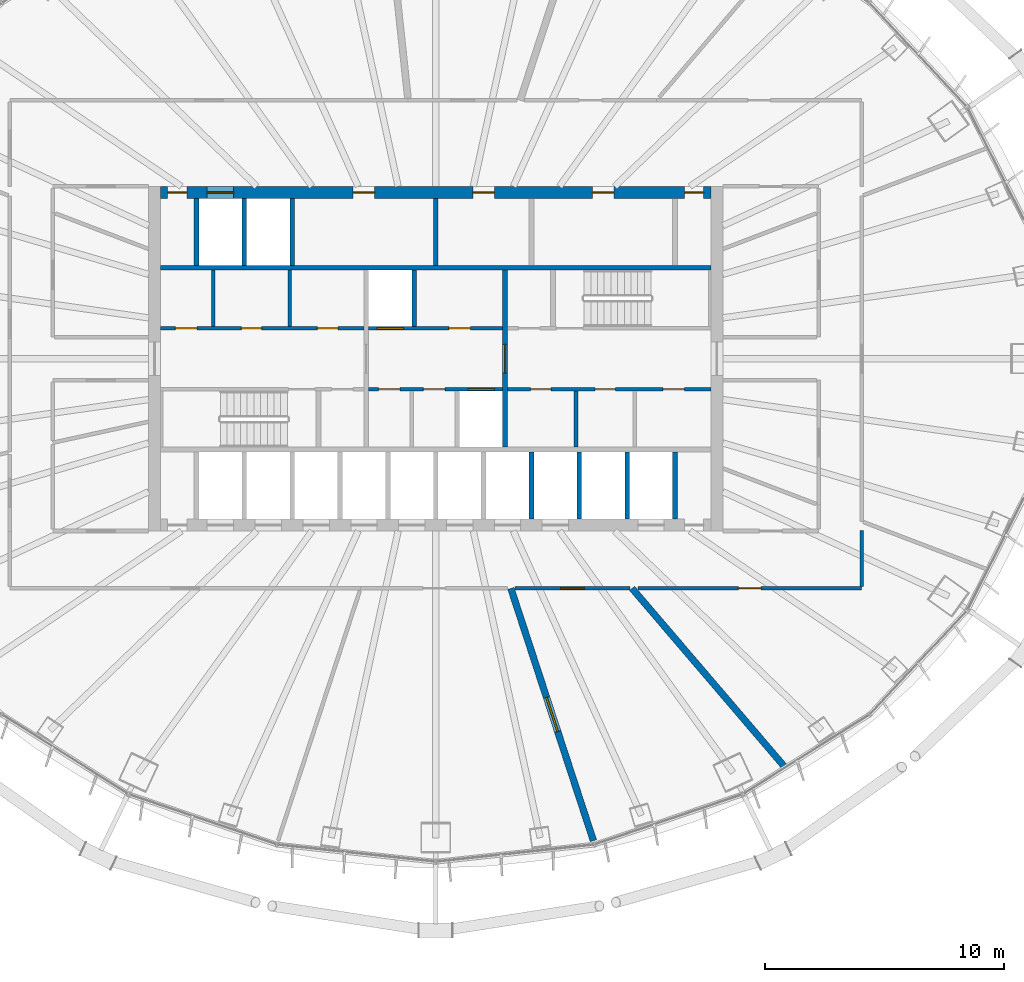
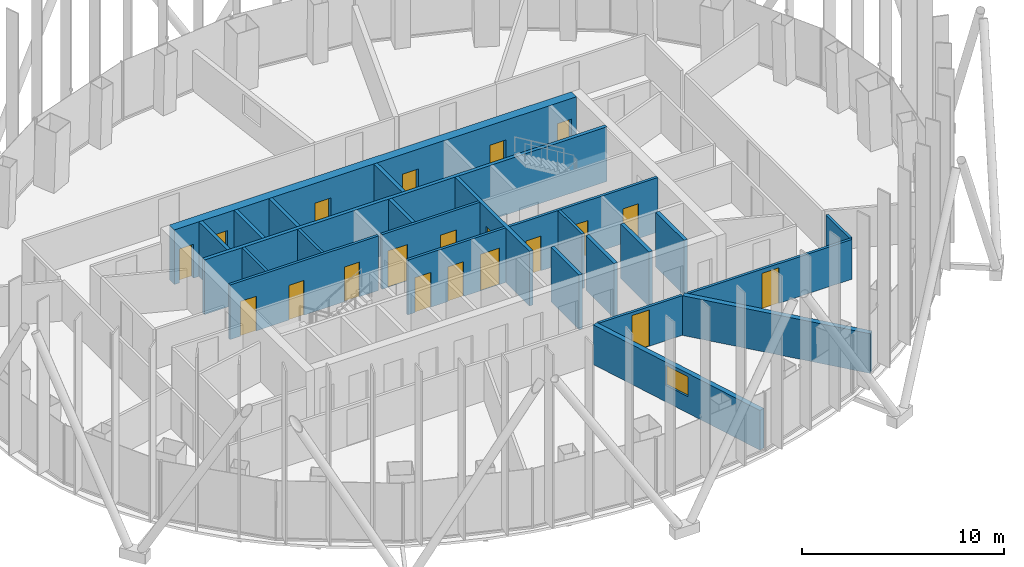
# One storey, part 10 of 20: 24 walls, 20 doors, 1 window, 21 openings.
"""IFC4 building model written with IfcOpenShell, lengths in metres."""

import ifcopenshell
import ifcopenshell.guid

model = None  # the IFC model being written
_history = None  # IfcOwnerHistory: only IFC2X3 demands one
_inside = {}  # id of a spatial element -> (the spatial element, [elements in it])
_under = {}  # id of a project, library or spatial element -> (it, [spatial elements below it])
_declared = {}  # id of a project -> (the project, [libraries it declares])
_typed = {}  # id of a type object -> (the type object, [elements of that type])
_made_of = {}  # id of a material, layer set ... -> (it, [elements and type objects made of it])


def new_model(schema):
    """Start an empty IFC model of exactly this schema.

    Asked for "IFC4X3", IfcOpenShell would pick the latest addendum, in which some entities
    have other attributes; the version numbers below select the first issue.
    IFC2X3 requires an IfcOwnerHistory on every rooted entity: one is made here for all.
    """
    global model, _history
    if schema == "IFC4X3":
        model = ifcopenshell.file(schema_version=(4, 3, 0, 0))
    else:
        model = ifcopenshell.file(schema=schema)
    _inside.clear()
    _under.clear()
    _declared.clear()
    _typed.clear()
    _made_of.clear()
    _history = None
    if model.schema == "IFC2X3":
        org = make("IfcOrganization", Name="unknown")
        user = make(
            "IfcPersonAndOrganization",
            ThePerson=make("IfcPerson", FamilyName="unknown"),
            TheOrganization=org,
        )
        app = make(
            "IfcApplication",
            ApplicationDeveloper=org,
            Version="unknown",
            ApplicationFullName="unknown",
            ApplicationIdentifier="unknown",
        )
        _history = make(
            "IfcOwnerHistory",
            OwningUser=user,
            OwningApplication=app,
            ChangeAction="ADDED",
            CreationDate=0,
        )
    return model


def make(cls, **values):
    """One entity of the class cls with the attributes given. An attribute that is None is left unset."""
    return model.create_entity(
        cls, **{name: value for name, value in values.items() if value is not None}
    )


def rooted(cls, **values):
    """An entity with a GlobalId (a new one), such as an element, a storey or a relation."""
    return make(cls, GlobalId=ifcopenshell.guid.new(), OwnerHistory=_history, **values)


def si_unit(unit_type, name, prefix=None):
    """IfcSIUnit, for example si_unit("LENGTHUNIT", "METRE", prefix="MILLI")."""
    return make("IfcSIUnit", UnitType=unit_type, Prefix=prefix, Name=name)


def assignment(units):
    """IfcUnitAssignment: the units of a project."""
    return None if units is None else make("IfcUnitAssignment", Units=units)


def point(xyz):
    """IfcCartesianPoint."""
    return None if xyz is None else make("IfcCartesianPoint", Coordinates=xyz)


def direction(xyz):
    """IfcDirection."""
    return None if xyz is None else make("IfcDirection", DirectionRatios=xyz)


def frame(location, z_axis=None, x_axis=None):
    """IfcAxis2Placement3D, a coordinate frame: its origin and axes. An axis left out is left unset."""
    return make(
        "IfcAxis2Placement3D",
        Location=point(location),
        Axis=direction(z_axis),
        RefDirection=direction(x_axis),
    )


def frame_2d(location, x_axis=None):
    """IfcAxis2Placement2D, a coordinate frame in the plane: its origin and x axis."""
    return make(
        "IfcAxis2Placement2D", Location=point(location), RefDirection=direction(x_axis)
    )


def origin():
    """The frame at (0, 0, 0) with its axes left unset."""
    return frame((0.0, 0.0, 0.0))


def place(relative_to, where):
    """IfcLocalPlacement: puts the frame where relative to a parent placement (None: the world)."""
    return make(
        "IfcLocalPlacement", PlacementRelTo=relative_to, RelativePlacement=where
    )


def context(
    kind, dimensions, precision=None, world=None, true_north=None, identifier=None
):
    """IfcGeometricRepresentationContext, for example the 3D "Model" context."""
    return make(
        "IfcGeometricRepresentationContext",
        ContextIdentifier=identifier,
        ContextType=kind,
        CoordinateSpaceDimension=dimensions,
        Precision=precision,
        WorldCoordinateSystem=world,
        TrueNorth=true_north,
    )


def subcontext(parent, identifier, kind, view, scale=None):
    """IfcGeometricRepresentationSubContext, for example "Body" below "Model"."""
    return make(
        "IfcGeometricRepresentationSubContext",
        ContextIdentifier=identifier,
        ContextType=kind,
        ParentContext=parent,
        TargetScale=scale,
        TargetView=view,
    )


def project(units=None, contexts=None):
    """IfcProject with its units and contexts."""
    return rooted(
        "IfcProject",
        Name="project",
        RepresentationContexts=contexts,
        UnitsInContext=assignment(units),
    )


def spatial(cls, under=None, at=None, **own):
    """A site, building, storey or space (cls), placed at a placement, below another one or the project."""
    s = rooted(cls, ObjectPlacement=at, **own)
    if under is not None:
        _under.setdefault(under.id(), (under, []))[1].append(s)
    return s


def profile(cls, at=None, kind="AREA", **sizes):
    """A parametric profile (cls). Its sizes go by their IFC names, for example OverallWidth=200.0."""
    return make(cls, ProfileType=kind, Position=at, **sizes)


def rectangle(**sizes):
    """IfcRectangleProfileDef."""
    return profile("IfcRectangleProfileDef", **sizes)


def extrude(swept, where, along, depth):
    """IfcExtrudedAreaSolid: the profile swept, set in the frame where, extruded along a direction by depth."""
    return make(
        "IfcExtrudedAreaSolid",
        SweptArea=swept,
        Position=where,
        ExtrudedDirection=direction(along),
        Depth=depth,
    )


def shape(context_of_items, identifier, shape_type, items):
    """IfcShapeRepresentation: the items that make up one representation, for example the "Body"."""
    return make(
        "IfcShapeRepresentation",
        ContextOfItems=context_of_items,
        RepresentationIdentifier=identifier,
        RepresentationType=shape_type,
        Items=items,
    )


def material(Name=None, Category=None):
    """IfcMaterial."""
    return make("IfcMaterial", Name=Name, Category=Category)


def layer(
    of_material, thickness, ventilated=None, Name=None, Category=None, Priority=None
):
    """IfcMaterialLayer: one layer of a wall or slab, of a material (None: an air gap)."""
    return make(
        "IfcMaterialLayer",
        Material=of_material,
        LayerThickness=thickness,
        IsVentilated=ventilated,
        Name=Name,
        Category=Category,
        Priority=Priority,
    )


def layer_set(layers, Name=None):
    """IfcMaterialLayerSet."""
    return make("IfcMaterialLayerSet", MaterialLayers=layers, LayerSetName=Name)


def made_of(thing, what):
    """Note that an element or type object is made of a material, layer set ...; save() writes the relation."""
    if what is not None:
        _made_of.setdefault(what.id(), (what, []))[1].append(thing)
    return thing


def type_object(cls, material=None, **own):
    """A type object (cls), such as IfcWallType, which elements share."""
    return made_of(rooted(cls, **own), material)


def element(
    cls,
    number,
    at=None,
    inside=None,
    cuts=None,
    type_object=None,
    material=None,
    context=None,
    identifier="Body",
    shape_type=None,
    held_by="IfcProductDefinitionShape",
    body=None,
    shapes=None,
    **own,
):
    """One element of the class cls, such as IfcWall. Its Tag is "e" and its number.

    at: its placement. inside: the storey or other place that contains it. cuts: it is an
    opening in that element (IfcRelVoidsElement). A single representation is given by context,
    identifier, shape_type and body (its items); several are given by shapes. held_by: the class
    of the entity that holds the representations. save() writes the other relations.
    """
    e = rooted(cls, Tag="e%d" % number, ObjectPlacement=at, **own)
    if body is not None:
        shapes = [shape(context, identifier, shape_type, body)]
    if shapes is not None:
        e.Representation = make(held_by, Representations=shapes)
    if inside is not None:
        _inside.setdefault(inside.id(), (inside, []))[1].append(e)
    if cuts is not None:
        rooted(
            "IfcRelVoidsElement", RelatingBuildingElement=cuts, RelatedOpeningElement=e
        )
    if type_object is not None:
        _typed.setdefault(type_object.id(), (type_object, []))[1].append(e)
    return made_of(e, material)


def fill(opening, filler):
    """IfcRelFillsElement: the door or window that sits in an opening."""
    return rooted(
        "IfcRelFillsElement",
        RelatingOpeningElement=opening,
        RelatedBuildingElement=filler,
    )


def aggregate(whole, parts):
    """IfcRelAggregates: a whole, such as a stair, and the parts it consists of."""
    return rooted("IfcRelAggregates", RelatingObject=whole, RelatedObjects=parts)


def save(model, path):
    """Write the relations noted so far, then the file.

    IfcRelAggregates (storeys below a building ...), IfcRelContainedInSpatialStructure (elements
    in a storey), IfcRelDefinesByType, IfcRelAssociatesMaterial and IfcRelDeclares: one each for
    every whole, place, type object, material and project.
    """
    for whole, parts in _under.values():
        aggregate(whole, parts)
    for where, things in _inside.values():
        rooted(
            "IfcRelContainedInSpatialStructure",
            RelatedElements=things,
            RelatingStructure=where,
        )
    for kind, things in _typed.values():
        rooted("IfcRelDefinesByType", RelatedObjects=things, RelatingType=kind)
    for what, things in _made_of.values():
        rooted("IfcRelAssociatesMaterial", RelatedObjects=things, RelatingMaterial=what)
    for by, libraries in _declared.values():
        rooted("IfcRelDeclares", RelatingContext=by, RelatedDefinitions=libraries)
    model.write(path)


model = new_model("IFC4")

# Units and contexts
model_context = context("Model", 3, precision=1e-05, world=origin(), true_north=direction((0.0, 1.0)))
body_context = subcontext(model_context, "Body", "Model", "MODEL_VIEW")
ifc_project = project(units=[si_unit("LENGTHUNIT", "METRE"), si_unit("AREAUNIT", "SQUARE_METRE"), si_unit("VOLUMEUNIT", "CUBIC_METRE"), si_unit("PLANEANGLEUNIT", "RADIAN"), si_unit("MASSUNIT", "GRAM", prefix="KILO")], contexts=[model_context])

# Site, building, storey
site_placement = place(None, origin())
site = spatial("IfcSite", under=ifc_project, at=site_placement, CompositionType="ELEMENT")
building_placement = place(site_placement, origin())
building = spatial("IfcBuilding", under=site, at=building_placement, Name="Siaravel Broadcast Tower", CompositionType="ELEMENT")
storey_placement = place(building_placement, frame((0.0, 0.0, 108.199951171875)))
storey = spatial("IfcBuildingStorey", under=building, at=storey_placement, Name="L25", CompositionType="ELEMENT", Elevation=108.199951171875)

# Wall, opening, window
ifc_material_1 = material(Name="Double-leaf acoustic partition", Category="gypsum")
ifc_layer_1 = layer(ifc_material_1, 0.280029296875)
ifc_layer_set_1 = layer_set([ifc_layer_1], Name="Double-leaf acoustic partition")
wall_type_1 = type_object("IfcWallType", Name="Acoustic double-leaf wall 280", PredefinedType="PARTITIONING", material=ifc_layer_set_1)
wall_1_placement = place(storey_placement, frame((6.589599609375, -20.144775390625, 0.0), z_axis=(0.0, 0.0, 1.0), x_axis=(-0.310895222, 0.950444191, 0.0)))
wall_1 = element("IfcWall", 1, at=wall_1_placement, inside=storey, type_object=wall_type_1, Name="L25 partition 4", PredefinedType="PARTITIONING", context=body_context, shape_type="SweptSolid", body=[
    extrude(rectangle(XDim=11.094482421875, YDim=0.280029296875, at=frame_2d((5.54736328125, 0.0))), origin(), (0.0, 0.0, 1.0), 2.400146484375),
])
opening_1_placement = place(wall_1_placement, frame((4.79736328125, 0.0, 1.0)))
opening_1 = element("IfcOpeningElement", 2, at=opening_1_placement, cuts=wall_1, Name="Opening L25-W02", PredefinedType="OPENING", context=body_context, shape_type="SweptSolid", body=[
    extrude(rectangle(XDim=1.5, YDim=1.199951171875, at=frame_2d((0.75, 0.60009765625))), frame((0.0, 0.14990234375, 0.0), z_axis=(0.0, -1.0, 0.0), x_axis=(1.0, 0.0, 0.0)), (0.0, 0.0, 1.0), 0.300048828125),
])
ifc_material_2 = material(Name="Laminated acoustic glass", Category="glass")
window_type = type_object("IfcWindowType", Name="Studio viewing window 1500", PartitioningType="SINGLE_PANEL", PredefinedType="WINDOW", material=ifc_material_2)
window_placement = place(opening_1_placement, origin())
window = element("IfcWindow", 3, at=window_placement, inside=storey, type_object=window_type, Name="L25 viewing window to Viewing theatre", OverallHeight=1.199951171875, OverallWidth=1.5, PartitioningType="SINGLE_PANEL", PredefinedType="WINDOW", context=body_context, shape_type="SweptSolid", body=[
    extrude(rectangle(XDim=1.5, YDim=1.199951171875, at=frame_2d((0.75, 0.60009765625))), frame((0.0, 0.030029296875, 0.0), z_axis=(0.0, -1.0, 0.0), x_axis=(1.0, 0.0, 0.0)), (0.0, 0.0, 1.0), 0.06005859375),
])
fill(opening_1, window)

# Walls
wall_2_placement = place(storey_placement, frame((8.206298828125, -9.60009765625, 0.0), z_axis=(0.0, 0.0, 1.0), x_axis=(0.649790619, -0.760113249, 0.0)))
element("IfcWall", 4, at=wall_2_placement, inside=storey, type_object=wall_type_1, Name="L25 partition 8", PredefinedType="PARTITIONING", context=body_context, shape_type="SweptSolid", body=[
    extrude(rectangle(XDim=9.849853515625, YDim=0.280029296875, at=frame_2d((4.9248046875, 0.0))), origin(), (0.0, 0.0, 1.0), 2.400146484375),
])
ifc_material_3 = material(Name="Concrete blockwork", Category="masonry")
ifc_layer_2 = layer(ifc_material_3, 0.14990234375)
ifc_layer_set_2 = layer_set([ifc_layer_2], Name="Concrete blockwork")
wall_type_2 = type_object("IfcWallType", Name="Core partition 150", PredefinedType="PARTITIONING", material=ifc_layer_set_2)
for number, where, z_axis, x_axis, name in (
    (5, (-9.29296875, 1.35009765625, 0.0), (0.0, 0.0, 1.0), (0.0, 1.0, 0.0), "L25 core partition PNW0"),
    (6, (-6.10888671875, 1.35009765625, 0.0), (0.0, 0.0, 1.0), (0.0, 1.0, 0.0), "L25 core partition PNW1"),
    (7, (5.863037109375, -3.699951171875, 0.0), (0.0, 0.0, 1.0), (0.0, 1.0, 0.0), "L25 core partition PSE0"),
):
    element("IfcWall", number, at=place(storey_placement, frame(where, z_axis=z_axis, x_axis=x_axis)), inside=storey, type_object=wall_type_2, Name=name, PredefinedType="PARTITIONING", context=body_context, shape_type="SweptSolid", body=[
        extrude(rectangle(XDim=2.349853515625, YDim=0.14990234375, at=frame_2d((1.1748046875, 0.0))), origin(), (0.0, 0.0, 1.0), 3.300048828125),
    ])
ifc_layer_3 = layer(ifc_material_3, 0.199951171875)
ifc_layer_set_3 = layer_set([ifc_layer_3], Name="Concrete blockwork")
wall_type_3 = type_object("IfcWallType", Name="Core partition 200", PredefinedType="PARTITIONING", material=ifc_layer_set_3)
wall_3_placement = place(storey_placement, frame((0.0, 3.89990234375, 0.0), z_axis=(0.0, 0.0, 1.0), x_axis=(0.0, 1.0, 0.0)))
element("IfcWall", 8, at=wall_3_placement, inside=storey, type_object=wall_type_3, Name="L25 core partition PFN2", PredefinedType="PARTITIONING", context=body_context, shape_type="SweptSolid", body=[
    extrude(rectangle(XDim=2.800048828125, YDim=0.199951171875, at=frame_2d((1.39990234375, 0.0))), origin(), (0.0, 0.0, 1.0), 3.300048828125),
])

# Wall, openings, doors
ifc_material_4 = material(Name="Concrete C60/75", Category="concrete")
ifc_layer_4 = layer(ifc_material_4, 0.5)
ifc_layer_set_4 = layer_set([ifc_layer_4], Name="Concrete C60/75")
wall_type_4 = type_object("IfcWallType", Name="Core wall 500", PredefinedType="SHEAR", material=ifc_layer_set_4)
wall_4_placement = place(storey_placement, frame((-11.5, 6.949951171875, 0.0), z_axis=(0.0, 0.0, 1.0), x_axis=(1.0, 0.0, 0.0)))
wall_4 = element("IfcWall", 9, at=wall_4_placement, inside=storey, type_object=wall_type_4, Name="L25 core wall ON", PredefinedType="SHEAR", context=body_context, shape_type="SweptSolid", body=[
    extrude(rectangle(XDim=23.0, YDim=0.5, at=frame_2d((11.5, 0.0))), origin(), (0.0, 0.0, 1.0), 3.300048828125),
])
opening_2_placement = place(wall_4_placement, frame((1.949951171875, 0.0, 0.0)))
opening_2 = element("IfcOpeningElement", 10, at=opening_2_placement, cuts=wall_4, Name="Opening LD-SV2-L25", PredefinedType="OPENING", context=body_context, shape_type="SweptSolid", body=[
    extrude(rectangle(XDim=1.10009765625, YDim=2.199951171875, at=frame_2d((0.550048828125, 1.10009765625))), frame((0.0, 0.260009765625, 0.0), z_axis=(0.0, -1.0, 0.0), x_axis=(1.0, 0.0, 0.0)), (0.0, 0.0, 1.0), 0.52001953125),
])
opening_3_placement = place(wall_4_placement, frame((8.050048828125, 0.0, 0.0)))
opening_3 = element("IfcOpeningElement", 11, at=opening_3_placement, cuts=wall_4, Name="Opening L25-DFN2", PredefinedType="OPENING", context=body_context, shape_type="SweptSolid", body=[
    extrude(rectangle(XDim=0.89990234375, YDim=2.10009765625, at=frame_2d((0.449951171875, 1.050048828125))), frame((0.0, 0.260009765625, 0.0), z_axis=(0.0, -1.0, 0.0), x_axis=(1.0, 0.0, 0.0)), (0.0, 0.0, 1.0), 0.52001953125),
])
opening_4_placement = place(wall_4_placement, frame((13.050048828125, 0.0, 0.0)))
opening_4 = element("IfcOpeningElement", 12, at=opening_4_placement, cuts=wall_4, Name="Opening L25-DFN5", PredefinedType="OPENING", context=body_context, shape_type="SweptSolid", body=[
    extrude(rectangle(XDim=0.89990234375, YDim=2.10009765625, at=frame_2d((0.449951171875, 1.050048828125))), frame((0.0, 0.260009765625, 0.0), z_axis=(0.0, -1.0, 0.0), x_axis=(1.0, 0.0, 0.0)), (0.0, 0.0, 1.0), 0.52001953125),
])
opening_5_placement = place(wall_4_placement, frame((18.050048828125, 0.0, 0.0)))
opening_5 = element("IfcOpeningElement", 13, at=opening_5_placement, cuts=wall_4, Name="Opening L25-DFN7", PredefinedType="OPENING", context=body_context, shape_type="SweptSolid", body=[
    extrude(rectangle(XDim=0.89990234375, YDim=2.10009765625, at=frame_2d((0.449951171875, 1.050048828125))), frame((0.0, 0.260009765625, 0.0), z_axis=(0.0, -1.0, 0.0), x_axis=(1.0, 0.0, 0.0)), (0.0, 0.0, 1.0), 0.52001953125),
])
opening_6_placement = place(wall_4_placement, frame((0.300048828125, 0.0, 0.0)))
opening_6 = element("IfcOpeningElement", 14, at=opening_6_placement, cuts=wall_4, Name="Opening L25-DRNW", PredefinedType="OPENING", context=body_context, shape_type="SweptSolid", body=[
    extrude(rectangle(XDim=0.800048828125, YDim=2.050048828125, at=frame_2d((0.39990234375, 1.02490234375))), frame((0.0, 0.260009765625, 0.0), z_axis=(0.0, -1.0, 0.0), x_axis=(1.0, 0.0, 0.0)), (0.0, 0.0, 1.0), 0.52001953125),
])
opening_7_placement = place(wall_4_placement, frame((21.89990234375, 0.0, 0.0)))
opening_7 = element("IfcOpeningElement", 15, at=opening_7_placement, cuts=wall_4, Name="Opening L25-DRNE", PredefinedType="OPENING", context=body_context, shape_type="SweptSolid", body=[
    extrude(rectangle(XDim=0.800048828125, YDim=2.050048828125, at=frame_2d((0.39990234375, 1.02490234375))), frame((0.0, 0.260009765625, 0.0), z_axis=(0.0, -1.0, 0.0), x_axis=(1.0, 0.0, 0.0)), (0.0, 0.0, 1.0), 0.52001953125),
])
ifc_material_5 = material(Name="Timber veneer", Category="wood")
door_type_1 = type_object("IfcDoorType", Name="Core room door 900", OperationType="SINGLE_SWING_LEFT", PredefinedType="DOOR", material=ifc_material_5)
door_1_placement = place(opening_3_placement, origin())
door_1 = element("IfcDoor", 16, at=door_1_placement, inside=storey, type_object=door_type_1, Name="L25 door DFN2", OperationType="SINGLE_SWING_LEFT", OverallHeight=2.10009765625, OverallWidth=0.89990234375, PredefinedType="DOOR", context=body_context, shape_type="SweptSolid", body=[
    extrude(rectangle(XDim=0.89990234375, YDim=2.10009765625, at=frame_2d((0.449951171875, 1.050048828125))), frame((0.0, 0.02490234375, 0.0), z_axis=(0.0, -1.0, 0.0), x_axis=(1.0, 0.0, 0.0)), (0.0, 0.0, 1.0), 0.050048828125),
])
fill(opening_3, door_1)
door_2_placement = place(opening_4_placement, origin())
door_2 = element("IfcDoor", 17, at=door_2_placement, inside=storey, type_object=door_type_1, Name="L25 door DFN5", OperationType="SINGLE_SWING_LEFT", OverallHeight=2.10009765625, OverallWidth=0.89990234375, PredefinedType="DOOR", context=body_context, shape_type="SweptSolid", body=[
    extrude(rectangle(XDim=0.89990234375, YDim=2.10009765625, at=frame_2d((0.449951171875, 1.050048828125))), frame((0.0, 0.02490234375, 0.0), z_axis=(0.0, -1.0, 0.0), x_axis=(1.0, 0.0, 0.0)), (0.0, 0.0, 1.0), 0.050048828125),
])
fill(opening_4, door_2)
door_3_placement = place(opening_5_placement, origin())
door_3 = element("IfcDoor", 18, at=door_3_placement, inside=storey, type_object=door_type_1, Name="L25 door DFN7", OperationType="SINGLE_SWING_LEFT", OverallHeight=2.10009765625, OverallWidth=0.89990234375, PredefinedType="DOOR", context=body_context, shape_type="SweptSolid", body=[
    extrude(rectangle(XDim=0.89990234375, YDim=2.10009765625, at=frame_2d((0.449951171875, 1.050048828125))), frame((0.0, 0.02490234375, 0.0), z_axis=(0.0, -1.0, 0.0), x_axis=(1.0, 0.0, 0.0)), (0.0, 0.0, 1.0), 0.050048828125),
])
fill(opening_5, door_3)
ifc_material_6 = material(Name="Steel", Category="steel")
door_type_2 = type_object("IfcDoorType", Name="Riser door 800", OperationType="SINGLE_SWING_LEFT", PredefinedType="DOOR", material=ifc_material_6)
door_4_placement = place(opening_6_placement, origin())
door_4 = element("IfcDoor", 19, at=door_4_placement, inside=storey, type_object=door_type_2, Name="L25 door DRNW", OperationType="SINGLE_SWING_LEFT", OverallHeight=2.050048828125, OverallWidth=0.800048828125, PredefinedType="DOOR", context=body_context, shape_type="SweptSolid", body=[
    extrude(rectangle(XDim=0.800048828125, YDim=2.050048828125, at=frame_2d((0.39990234375, 1.02490234375))), frame((0.0, 0.02490234375, 0.0), z_axis=(0.0, -1.0, 0.0), x_axis=(1.0, 0.0, 0.0)), (0.0, 0.0, 1.0), 0.050048828125),
])
fill(opening_6, door_4)
door_5_placement = place(opening_7_placement, origin())
door_5 = element("IfcDoor", 20, at=door_5_placement, inside=storey, type_object=door_type_2, Name="L25 door DRNE", OperationType="SINGLE_SWING_LEFT", OverallHeight=2.050048828125, OverallWidth=0.800048828125, PredefinedType="DOOR", context=body_context, shape_type="SweptSolid", body=[
    extrude(rectangle(XDim=0.800048828125, YDim=2.050048828125, at=frame_2d((0.39990234375, 1.02490234375))), frame((0.0, 0.02490234375, 0.0), z_axis=(0.0, -1.0, 0.0), x_axis=(1.0, 0.0, 0.0)), (0.0, 0.0, 1.0), 0.050048828125),
])
fill(opening_7, door_5)
ifc_material_7 = material(Name="Stainless steel 316L", Category="steel")
door_type_3 = type_object("IfcDoorType", Name="Service lift landing door 1100", OperationType="DOUBLE_DOOR_SLIDING", PredefinedType="DOOR", material=ifc_material_7)
door_6_placement = place(opening_2_placement, origin())
door_6 = element("IfcDoor", 21, at=door_6_placement, inside=storey, type_object=door_type_3, Name="Landing door SV2 L25", OperationType="DOUBLE_DOOR_SLIDING", OverallHeight=2.199951171875, OverallWidth=1.10009765625, PredefinedType="DOOR", context=body_context, shape_type="SweptSolid", body=[
    extrude(rectangle(XDim=1.10009765625, YDim=2.199951171875, at=frame_2d((0.550048828125, 1.10009765625))), frame((0.0, 0.02490234375, 0.0), z_axis=(0.0, -1.0, 0.0), x_axis=(1.0, 0.0, 0.0)), (0.0, 0.0, 1.0), 0.050048828125),
])
fill(opening_2, door_6)

ifc_material_8 = material(Name="Gypsum board partition", Category="gypsum")
ifc_layer_5 = layer(ifc_material_8, 0.14990234375)
ifc_layer_set_5 = layer_set([ifc_layer_5], Name="Gypsum board partition")
wall_type_5 = type_object("IfcWallType", Name="Corridor wall 150", PredefinedType="PARTITIONING", material=ifc_layer_set_5)
wall_5_placement = place(storey_placement, frame((3.0, -1.27490234375, 0.0), z_axis=(0.0, 0.0, 1.0), x_axis=(1.0, 0.0, 0.0)))
wall_5 = element("IfcWall", 22, at=wall_5_placement, inside=storey, type_object=wall_type_5, Name="L25 core partition CSE", PredefinedType="PARTITIONING", context=body_context, shape_type="SweptSolid", body=[
    extrude(rectangle(XDim=8.5, YDim=0.14990234375, at=frame_2d((4.25, 0.0))), origin(), (0.0, 0.0, 1.0), 3.300048828125),
])
opening_8_placement = place(wall_5_placement, frame((0.968994140625, 0.0, 0.0)))
opening_8 = element("IfcOpeningElement", 23, at=opening_8_placement, cuts=wall_5, Name="Opening L25-DSE0", PredefinedType="OPENING", context=body_context, shape_type="SweptSolid", body=[
    extrude(rectangle(XDim=0.85009765625, YDim=2.10009765625, at=frame_2d((0.425048828125, 1.050048828125))), frame((0.0, 0.0849609375, 0.0), z_axis=(0.0, -1.0, 0.0), x_axis=(1.0, 0.0, 0.0)), (0.0, 0.0, 1.0), 0.169921875),
])
opening_9_placement = place(wall_5_placement, frame((3.660888671875, 0.0, 0.0)))
opening_9 = element("IfcOpeningElement", 24, at=opening_9_placement, cuts=wall_5, Name="Opening L25-DSE1", PredefinedType="OPENING", context=body_context, shape_type="SweptSolid", body=[
    extrude(rectangle(XDim=0.85009765625, YDim=2.10009765625, at=frame_2d((0.425048828125, 1.050048828125))), frame((0.0, 0.0849609375, 0.0), z_axis=(0.0, -1.0, 0.0), x_axis=(1.0, 0.0, 0.0)), (0.0, 0.0, 1.0), 0.169921875),
])
opening_10_placement = place(wall_5_placement, frame((6.491943359375, 0.0, 0.0)))
opening_10 = element("IfcOpeningElement", 25, at=opening_10_placement, cuts=wall_5, Name="Opening L25-DSE2", PredefinedType="OPENING", context=body_context, shape_type="SweptSolid", body=[
    extrude(rectangle(XDim=0.89990234375, YDim=2.10009765625, at=frame_2d((0.449951171875, 1.050048828125))), frame((0.0, 0.0849609375, 0.0), z_axis=(0.0, -1.0, 0.0), x_axis=(1.0, 0.0, 0.0)), (0.0, 0.0, 1.0), 0.169921875),
])
door_7_placement = place(opening_10_placement, origin())
door_7 = element("IfcDoor", 26, at=door_7_placement, inside=storey, type_object=door_type_1, Name="L25 door DSE2", OperationType="SINGLE_SWING_LEFT", OverallHeight=2.10009765625, OverallWidth=0.89990234375, PredefinedType="DOOR", context=body_context, shape_type="SweptSolid", body=[
    extrude(rectangle(XDim=0.89990234375, YDim=2.10009765625, at=frame_2d((0.449951171875, 1.050048828125))), frame((0.0, 0.02490234375, 0.0), z_axis=(0.0, -1.0, 0.0), x_axis=(1.0, 0.0, 0.0)), (0.0, 0.0, 1.0), 0.050048828125),
])
fill(opening_10, door_7)
door_type_4 = type_object("IfcDoorType", Name="Core toilet door 850", OperationType="SINGLE_SWING_LEFT", PredefinedType="DOOR", material=ifc_material_5)
door_8_placement = place(opening_8_placement, origin())
door_8 = element("IfcDoor", 27, at=door_8_placement, inside=storey, type_object=door_type_4, Name="L25 door DSE0", OperationType="SINGLE_SWING_LEFT", OverallHeight=2.10009765625, OverallWidth=0.85009765625, PredefinedType="DOOR", context=body_context, shape_type="SweptSolid", body=[
    extrude(rectangle(XDim=0.85009765625, YDim=2.10009765625, at=frame_2d((0.425048828125, 1.050048828125))), frame((0.0, 0.02490234375, 0.0), z_axis=(0.0, -1.0, 0.0), x_axis=(1.0, 0.0, 0.0)), (0.0, 0.0, 1.0), 0.050048828125),
])
fill(opening_8, door_8)
door_9_placement = place(opening_9_placement, origin())
door_9 = element("IfcDoor", 28, at=door_9_placement, inside=storey, type_object=door_type_4, Name="L25 door DSE1", OperationType="SINGLE_SWING_LEFT", OverallHeight=2.10009765625, OverallWidth=0.85009765625, PredefinedType="DOOR", context=body_context, shape_type="SweptSolid", body=[
    extrude(rectangle(XDim=0.85009765625, YDim=2.10009765625, at=frame_2d((0.425048828125, 1.050048828125))), frame((0.0, 0.02490234375, 0.0), z_axis=(0.0, -1.0, 0.0), x_axis=(1.0, 0.0, 0.0)), (0.0, 0.0, 1.0), 0.050048828125),
])
fill(opening_9, door_9)

wall_6_placement = place(storey_placement, frame((-11.5, 1.27490234375, 0.0), z_axis=(0.0, 0.0, 1.0), x_axis=(1.0, 0.0, 0.0)))
wall_6 = element("IfcWall", 29, at=wall_6_placement, inside=storey, type_object=wall_type_5, Name="L25 core partition CNW", PredefinedType="PARTITIONING", context=body_context, shape_type="SweptSolid", body=[
    extrude(rectangle(XDim=8.5, YDim=0.14990234375, at=frame_2d((4.25, 0.0))), origin(), (0.0, 0.0, 1.0), 3.300048828125),
])
opening_11_placement = place(wall_6_placement, frame((0.615966796875, 0.0, 0.0)))
opening_11 = element("IfcOpeningElement", 30, at=opening_11_placement, cuts=wall_6, Name="Opening L25-DNW0", PredefinedType="OPENING", context=body_context, shape_type="SweptSolid", body=[
    extrude(rectangle(XDim=0.89990234375, YDim=2.10009765625, at=frame_2d((0.449951171875, 1.050048828125))), frame((0.0, 0.0849609375, 0.0), z_axis=(0.0, -1.0, 0.0), x_axis=(1.0, 0.0, 0.0)), (0.0, 0.0, 1.0), 0.169921875),
])
opening_12_placement = place(wall_6_placement, frame((3.3740234375, 0.0, 0.0)))
opening_12 = element("IfcOpeningElement", 31, at=opening_12_placement, cuts=wall_6, Name="Opening L25-DNW1", PredefinedType="OPENING", context=body_context, shape_type="SweptSolid", body=[
    extrude(rectangle(XDim=0.85009765625, YDim=2.10009765625, at=frame_2d((0.425048828125, 1.050048828125))), frame((0.0, 0.0849609375, 0.0), z_axis=(0.0, -1.0, 0.0), x_axis=(1.0, 0.0, 0.0)), (0.0, 0.0, 1.0), 0.169921875),
])
opening_13_placement = place(wall_6_placement, frame((6.55810546875, 0.0, 0.0)))
opening_13 = element("IfcOpeningElement", 32, at=opening_13_placement, cuts=wall_6, Name="Opening L25-DNW2", PredefinedType="OPENING", context=body_context, shape_type="SweptSolid", body=[
    extrude(rectangle(XDim=0.85009765625, YDim=2.10009765625, at=frame_2d((0.425048828125, 1.050048828125))), frame((0.0, 0.0849609375, 0.0), z_axis=(0.0, -1.0, 0.0), x_axis=(1.0, 0.0, 0.0)), (0.0, 0.0, 1.0), 0.169921875),
])
door_10_placement = place(opening_11_placement, origin())
door_10 = element("IfcDoor", 33, at=door_10_placement, inside=storey, type_object=door_type_1, Name="L25 door DNW0", OperationType="SINGLE_SWING_LEFT", OverallHeight=2.10009765625, OverallWidth=0.89990234375, PredefinedType="DOOR", context=body_context, shape_type="SweptSolid", body=[
    extrude(rectangle(XDim=0.89990234375, YDim=2.10009765625, at=frame_2d((0.449951171875, 1.050048828125))), frame((0.0, 0.02490234375, 0.0), z_axis=(0.0, -1.0, 0.0), x_axis=(1.0, 0.0, 0.0)), (0.0, 0.0, 1.0), 0.050048828125),
])
fill(opening_11, door_10)
door_11_placement = place(opening_12_placement, origin())
door_11 = element("IfcDoor", 34, at=door_11_placement, inside=storey, type_object=door_type_4, Name="L25 door DNW1", OperationType="SINGLE_SWING_LEFT", OverallHeight=2.10009765625, OverallWidth=0.85009765625, PredefinedType="DOOR", context=body_context, shape_type="SweptSolid", body=[
    extrude(rectangle(XDim=0.85009765625, YDim=2.10009765625, at=frame_2d((0.425048828125, 1.050048828125))), frame((0.0, 0.02490234375, 0.0), z_axis=(0.0, -1.0, 0.0), x_axis=(1.0, 0.0, 0.0)), (0.0, 0.0, 1.0), 0.050048828125),
])
fill(opening_12, door_11)
door_12_placement = place(opening_13_placement, origin())
door_12 = element("IfcDoor", 35, at=door_12_placement, inside=storey, type_object=door_type_4, Name="L25 door DNW2", OperationType="SINGLE_SWING_LEFT", OverallHeight=2.10009765625, OverallWidth=0.85009765625, PredefinedType="DOOR", context=body_context, shape_type="SweptSolid", body=[
    extrude(rectangle(XDim=0.85009765625, YDim=2.10009765625, at=frame_2d((0.425048828125, 1.050048828125))), frame((0.0, 0.02490234375, 0.0), z_axis=(0.0, -1.0, 0.0), x_axis=(1.0, 0.0, 0.0)), (0.0, 0.0, 1.0), 0.050048828125),
])
fill(opening_13, door_12)

# Wall, opening, door
wall_7_placement = place(storey_placement, frame((8.456787109375, -9.60009765625, 0.0), z_axis=(0.0, 0.0, 1.0), x_axis=(1.0, 0.0, 0.0)))
wall_7 = element("IfcWall", 36, at=wall_7_placement, inside=storey, type_object=wall_type_5, Name="L25 partition 10", PredefinedType="PARTITIONING", context=body_context, shape_type="SweptSolid", body=[
    extrude(rectangle(XDim=9.34326171875, YDim=0.14990234375, at=frame_2d((4.671630859375, 0.0))), origin(), (0.0, 0.0, 1.0), 2.400146484375),
])
opening_14_placement = place(wall_7_placement, frame((4.196533203125, 0.0, 0.0)))
opening_14 = element("IfcOpeningElement", 37, at=opening_14_placement, cuts=wall_7, Name="Opening L25-002", PredefinedType="OPENING", context=body_context, shape_type="SweptSolid", body=[
    extrude(rectangle(XDim=0.949951171875, YDim=2.14990234375, at=frame_2d((0.47509765625, 1.074951171875))), frame((0.0, 0.0849609375, 0.0), z_axis=(0.0, -1.0, 0.0), x_axis=(1.0, 0.0, 0.0)), (0.0, 0.0, 1.0), 0.169921875),
])
door_type_5 = type_object("IfcDoorType", Name="Office door 950", OperationType="SINGLE_SWING_LEFT", PredefinedType="DOOR", material=ifc_material_5)
door_13_placement = place(opening_14_placement, origin())
door_13 = element("IfcDoor", 38, at=door_13_placement, inside=storey, type_object=door_type_5, Name="L25 door to Design studio", OperationType="SINGLE_SWING_RIGHT", OverallHeight=2.14990234375, OverallWidth=0.949951171875, PredefinedType="DOOR", context=body_context, shape_type="SweptSolid", body=[
    extrude(rectangle(XDim=0.949951171875, YDim=2.14990234375, at=frame_2d((0.47509765625, 1.074951171875))), frame((0.0, 0.02490234375, 0.0), z_axis=(0.0, -1.0, 0.0), x_axis=(1.0, 0.0, 0.0)), (0.0, 0.0, 1.0), 0.050048828125),
])
fill(opening_14, door_13)

wall_8_placement = place(storey_placement, frame((3.314208984375, -9.60009765625, 0.0), z_axis=(0.0, 0.0, 1.0), x_axis=(1.0, 0.0, 0.0)))
wall_8 = element("IfcWall", 39, at=wall_8_placement, inside=storey, type_object=wall_type_5, Name="L25 partition 22", PredefinedType="PARTITIONING", context=body_context, shape_type="SweptSolid", body=[
    extrude(rectangle(XDim=4.802490234375, YDim=0.14990234375, at=frame_2d((2.4013671875, 0.0))), origin(), (0.0, 0.0, 1.0), 2.400146484375),
])
opening_15_placement = place(wall_8_placement, frame((1.9013671875, 0.0, 0.0)))
opening_15 = element("IfcOpeningElement", 40, at=opening_15_placement, cuts=wall_8, Name="Opening L25-020", PredefinedType="OPENING", context=body_context, shape_type="SweptSolid", body=[
    extrude(rectangle(XDim=1.0, YDim=2.199951171875, at=frame_2d((0.5, 1.10009765625))), frame((0.0, 0.0849609375, 0.0), z_axis=(0.0, -1.0, 0.0), x_axis=(1.0, 0.0, 0.0)), (0.0, 0.0, 1.0), 0.169921875),
])
ifc_material_9 = material(Name="Acoustic timber and steel", Category="steel")
door_type_6 = type_object("IfcDoorType", Name="Acoustic door 1000", OperationType="SINGLE_SWING_LEFT", PredefinedType="DOOR", material=ifc_material_9)
door_14_placement = place(opening_15_placement, origin())
door_14 = element("IfcDoor", 41, at=door_14_placement, inside=storey, type_object=door_type_6, Name="L25 door to Viewing theatre", OperationType="SINGLE_SWING_RIGHT", OverallHeight=2.199951171875, OverallWidth=1.0, PredefinedType="DOOR", context=body_context, shape_type="SweptSolid", body=[
    extrude(rectangle(XDim=1.0, YDim=2.199951171875, at=frame_2d((0.5, 1.10009765625))), frame((0.0, 0.02490234375, 0.0), z_axis=(0.0, -1.0, 0.0), x_axis=(1.0, 0.0, 0.0)), (0.0, 0.0, 1.0), 0.050048828125),
])
fill(opening_15, door_14)

# Wall
wall_9_placement = place(storey_placement, frame((17.800048828125, -9.52294921875, 0.0), z_axis=(0.0, 0.0, 1.0), x_axis=(0.0, 1.0, 0.0)))
element("IfcWall", 42, at=wall_9_placement, inside=storey, type_object=wall_type_5, Name="L25 partition 42", PredefinedType="PARTITIONING", context=body_context, shape_type="SweptSolid", body=[
    extrude(rectangle(XDim=2.3349609375, YDim=0.14990234375, at=frame_2d((1.16748046875, 0.0))), origin(), (0.0, 0.0, 1.0), 2.400146484375),
])

# Wall, openings, doors
ifc_layer_6 = layer(ifc_material_4, 0.14990234375)
ifc_layer_set_6 = layer_set([ifc_layer_6], Name="Concrete C60/75")
wall_type_6 = type_object("IfcWallType", Name="Shaft wall 150", PredefinedType="SHEAR", material=ifc_layer_set_6)
wall_10_placement = place(storey_placement, frame((-2.800048828125, -1.27490234375, 0.0), z_axis=(0.0, 0.0, 1.0), x_axis=(1.0, 0.0, 0.0)))
wall_10 = element("IfcWall", 43, at=wall_10_placement, inside=storey, type_object=wall_type_6, Name="L25 core wall CSM", PredefinedType="SHEAR", context=body_context, shape_type="SweptSolid", body=[
    extrude(rectangle(XDim=5.60009765625, YDim=0.14990234375, at=frame_2d((2.800048828125, 0.0))), origin(), (0.0, 0.0, 1.0), 3.300048828125),
])
opening_16_placement = place(wall_10_placement, frame((4.14990234375, 0.0, 0.0)))
opening_16 = element("IfcOpeningElement", 44, at=opening_16_placement, cuts=wall_10, Name="Opening LD-FL2-L25", PredefinedType="OPENING", context=body_context, shape_type="SweptSolid", body=[
    extrude(rectangle(XDim=1.10009765625, YDim=2.199951171875, at=frame_2d((0.550048828125, 1.10009765625))), frame((0.0, 0.0849609375, 0.0), z_axis=(0.0, -1.0, 0.0), x_axis=(1.0, 0.0, 0.0)), (0.0, 0.0, 1.0), 0.169921875),
])
opening_17_placement = place(wall_10_placement, frame((0.41259765625, 0.0, 0.0)))
opening_17 = element("IfcOpeningElement", 45, at=opening_17_placement, cuts=wall_10, Name="Opening L25-DSM0", PredefinedType="OPENING", context=body_context, shape_type="SweptSolid", body=[
    extrude(rectangle(XDim=0.89990234375, YDim=2.10009765625, at=frame_2d((0.449951171875, 1.050048828125))), frame((0.0, 0.0849609375, 0.0), z_axis=(0.0, -1.0, 0.0), x_axis=(1.0, 0.0, 0.0)), (0.0, 0.0, 1.0), 0.169921875),
])
opening_18_placement = place(wall_10_placement, frame((2.28759765625, 0.0, 0.0)))
opening_18 = element("IfcOpeningElement", 46, at=opening_18_placement, cuts=wall_10, Name="Opening L25-DSM1", PredefinedType="OPENING", context=body_context, shape_type="SweptSolid", body=[
    extrude(rectangle(XDim=0.89990234375, YDim=2.10009765625, at=frame_2d((0.449951171875, 1.050048828125))), frame((0.0, 0.0849609375, 0.0), z_axis=(0.0, -1.0, 0.0), x_axis=(1.0, 0.0, 0.0)), (0.0, 0.0, 1.0), 0.169921875),
])
door_15_placement = place(opening_17_placement, origin())
door_15 = element("IfcDoor", 47, at=door_15_placement, inside=storey, type_object=door_type_1, Name="L25 door DSM0", OperationType="SINGLE_SWING_LEFT", OverallHeight=2.10009765625, OverallWidth=0.89990234375, PredefinedType="DOOR", context=body_context, shape_type="SweptSolid", body=[
    extrude(rectangle(XDim=0.89990234375, YDim=2.10009765625, at=frame_2d((0.449951171875, 1.050048828125))), frame((0.0, 0.02490234375, 0.0), z_axis=(0.0, -1.0, 0.0), x_axis=(1.0, 0.0, 0.0)), (0.0, 0.0, 1.0), 0.050048828125),
])
fill(opening_17, door_15)
door_16_placement = place(opening_18_placement, origin())
door_16 = element("IfcDoor", 48, at=door_16_placement, inside=storey, type_object=door_type_1, Name="L25 door DSM1", OperationType="SINGLE_SWING_LEFT", OverallHeight=2.10009765625, OverallWidth=0.89990234375, PredefinedType="DOOR", context=body_context, shape_type="SweptSolid", body=[
    extrude(rectangle(XDim=0.89990234375, YDim=2.10009765625, at=frame_2d((0.449951171875, 1.050048828125))), frame((0.0, 0.02490234375, 0.0), z_axis=(0.0, -1.0, 0.0), x_axis=(1.0, 0.0, 0.0)), (0.0, 0.0, 1.0), 0.050048828125),
])
fill(opening_18, door_16)
door_type_7 = type_object("IfcDoorType", Name="Firefighting lift landing door 1100", OperationType="DOUBLE_DOOR_SLIDING", PredefinedType="DOOR", material=ifc_material_7)
door_17_placement = place(opening_16_placement, origin())
door_17 = element("IfcDoor", 49, at=door_17_placement, inside=storey, type_object=door_type_7, Name="Landing door FL2 L25", OperationType="DOUBLE_DOOR_SLIDING", OverallHeight=2.199951171875, OverallWidth=1.10009765625, PredefinedType="DOOR", context=body_context, shape_type="SweptSolid", body=[
    extrude(rectangle(XDim=1.10009765625, YDim=2.199951171875, at=frame_2d((0.550048828125, 1.10009765625))), frame((0.0, 0.02490234375, 0.0), z_axis=(0.0, -1.0, 0.0), x_axis=(1.0, 0.0, 0.0)), (0.0, 0.0, 1.0), 0.050048828125),
])
fill(opening_16, door_17)

wall_11_placement = place(storey_placement, frame((-2.800048828125, 1.27490234375, 0.0), z_axis=(0.0, 0.0, 1.0), x_axis=(1.0, 0.0, 0.0)))
wall_11 = element("IfcWall", 50, at=wall_11_placement, inside=storey, type_object=wall_type_6, Name="L25 core wall CNM", PredefinedType="SHEAR", context=body_context, shape_type="SweptSolid", body=[
    extrude(rectangle(XDim=5.60009765625, YDim=0.14990234375, at=frame_2d((2.800048828125, 0.0))), origin(), (0.0, 0.0, 1.0), 3.300048828125),
])
opening_19_placement = place(wall_11_placement, frame((0.35009765625, 0.0, 0.0)))
opening_19 = element("IfcOpeningElement", 51, at=opening_19_placement, cuts=wall_11, Name="Opening LD-FL1-L25", PredefinedType="OPENING", context=body_context, shape_type="SweptSolid", body=[
    extrude(rectangle(XDim=1.10009765625, YDim=2.199951171875, at=frame_2d((0.550048828125, 1.10009765625))), frame((0.0, 0.0849609375, 0.0), z_axis=(0.0, -1.0, 0.0), x_axis=(1.0, 0.0, 0.0)), (0.0, 0.0, 1.0), 0.169921875),
])
opening_20_placement = place(wall_11_placement, frame((3.35009765625, 0.0, 0.0)))
opening_20 = element("IfcOpeningElement", 52, at=opening_20_placement, cuts=wall_11, Name="Opening L25-DNM0", PredefinedType="OPENING", context=body_context, shape_type="SweptSolid", body=[
    extrude(rectangle(XDim=0.89990234375, YDim=2.10009765625, at=frame_2d((0.449951171875, 1.050048828125))), frame((0.0, 0.0849609375, 0.0), z_axis=(0.0, -1.0, 0.0), x_axis=(1.0, 0.0, 0.0)), (0.0, 0.0, 1.0), 0.169921875),
])
door_18_placement = place(opening_20_placement, origin())
door_18 = element("IfcDoor", 53, at=door_18_placement, inside=storey, type_object=door_type_1, Name="L25 door DNM0", OperationType="SINGLE_SWING_LEFT", OverallHeight=2.10009765625, OverallWidth=0.89990234375, PredefinedType="DOOR", context=body_context, shape_type="SweptSolid", body=[
    extrude(rectangle(XDim=0.89990234375, YDim=2.10009765625, at=frame_2d((0.449951171875, 1.050048828125))), frame((0.0, 0.02490234375, 0.0), z_axis=(0.0, -1.0, 0.0), x_axis=(1.0, 0.0, 0.0)), (0.0, 0.0, 1.0), 0.050048828125),
])
fill(opening_20, door_18)
door_19_placement = place(opening_19_placement, origin())
door_19 = element("IfcDoor", 54, at=door_19_placement, inside=storey, type_object=door_type_7, Name="Landing door FL1 L25", OperationType="DOUBLE_DOOR_SLIDING", OverallHeight=2.199951171875, OverallWidth=1.10009765625, PredefinedType="DOOR", context=body_context, shape_type="SweptSolid", body=[
    extrude(rectangle(XDim=1.10009765625, YDim=2.199951171875, at=frame_2d((0.550048828125, 1.10009765625))), frame((0.0, 0.02490234375, 0.0), z_axis=(0.0, -1.0, 0.0), x_axis=(1.0, 0.0, 0.0)), (0.0, 0.0, 1.0), 0.050048828125),
])
fill(opening_19, door_19)

# Walls
ifc_layer_7 = layer(ifc_material_4, 0.199951171875)
ifc_layer_set_7 = layer_set([ifc_layer_7], Name="Concrete C60/75")
wall_type_7 = type_object("IfcWallType", Name="Shaft wall 200", PredefinedType="SHEAR", material=ifc_layer_set_7)
wall_12_placement = place(storey_placement, frame((-11.5, 3.800048828125, 0.0), z_axis=(0.0, 0.0, 1.0), x_axis=(1.0, 0.0, 0.0)))
element("IfcWall", 55, at=wall_12_placement, inside=storey, type_object=wall_type_7, Name="L25 core wall BN", PredefinedType="SHEAR", context=body_context, shape_type="SweptSolid", body=[
    extrude(rectangle(XDim=23.0, YDim=0.199951171875, at=frame_2d((11.5, 0.0))), origin(), (0.0, 0.0, 1.0), 3.300048828125),
])
for number, where, z_axis, x_axis, name in (
    (56, (4.0, -6.699951171875, 0.0), (0.0, 0.0, 1.0), (0.0, 1.0, 0.0), "L25 core wall SWS7"),
    (57, (6.0, -6.699951171875, 0.0), (0.0, 0.0, 1.0), (0.0, 1.0, 0.0), "L25 core wall SWS8"),
    (58, (8.0, -6.699951171875, 0.0), (0.0, 0.0, 1.0), (0.0, 1.0, 0.0), "L25 core wall SWS9"),
    (59, (10.0, -6.699951171875, 0.0), (0.0, 0.0, 1.0), (0.0, 1.0, 0.0), "L25 core wall SWS10"),
    (60, (-10.0, 3.89990234375, 0.0), (0.0, 0.0, 1.0), (0.0, 1.0, 0.0), "L25 core wall SWN0"),
    (61, (-8.0, 3.89990234375, 0.0), (0.0, 0.0, 1.0), (0.0, 1.0, 0.0), "L25 core wall SWN1"),
    (62, (-6.0, 3.89990234375, 0.0), (0.0, 0.0, 1.0), (0.0, 1.0, 0.0), "L25 core wall SWN2"),
):
    element("IfcWall", number, at=place(storey_placement, frame(where, z_axis=z_axis, x_axis=x_axis)), inside=storey, type_object=wall_type_7, Name=name, PredefinedType="SHEAR", context=body_context, shape_type="SweptSolid", body=[
        extrude(rectangle(XDim=2.800048828125, YDim=0.199951171875, at=frame_2d((1.39990234375, 0.0))), origin(), (0.0, 0.0, 1.0), 3.300048828125),
    ])

# Wall, opening, door
wall_13_placement = place(storey_placement, frame((2.89990234375, -3.699951171875, 0.0), z_axis=(0.0, 0.0, 1.0), x_axis=(0.0, 1.0, 0.0)))
wall_13 = element("IfcWall", 63, at=wall_13_placement, inside=storey, type_object=wall_type_7, Name="L25 core wall LE", PredefinedType="SHEAR", context=body_context, shape_type="SweptSolid", body=[
    extrude(rectangle(XDim=7.39990234375, YDim=0.199951171875, at=frame_2d((3.699951171875, 0.0))), origin(), (0.0, 0.0, 1.0), 3.300048828125),
])
opening_21_placement = place(wall_13_placement, frame((3.10009765625, 0.0, 0.0)))
opening_21 = element("IfcOpeningElement", 64, at=opening_21_placement, cuts=wall_13, Name="Opening L25-DL-E", PredefinedType="OPENING", context=body_context, shape_type="SweptSolid", body=[
    extrude(rectangle(XDim=1.199951171875, YDim=2.199951171875, at=frame_2d((0.60009765625, 1.10009765625))), frame((0.0, 0.10986328125, 0.0), z_axis=(0.0, -1.0, 0.0), x_axis=(1.0, 0.0, 0.0)), (0.0, 0.0, 1.0), 0.219970703125),
])
door_type_8 = type_object("IfcDoorType", Name="Firefighting lobby door 1200", OperationType="SINGLE_SWING_LEFT", PredefinedType="DOOR", material=ifc_material_6)
door_20_placement = place(opening_21_placement, origin())
door_20 = element("IfcDoor", 65, at=door_20_placement, inside=storey, type_object=door_type_8, Name="L25 door DL-E", OperationType="SINGLE_SWING_LEFT", OverallHeight=2.199951171875, OverallWidth=1.199951171875, PredefinedType="DOOR", context=body_context, shape_type="SweptSolid", body=[
    extrude(rectangle(XDim=1.199951171875, YDim=2.199951171875, at=frame_2d((0.60009765625, 1.10009765625))), frame((0.0, 0.02490234375, 0.0), z_axis=(0.0, -1.0, 0.0), x_axis=(1.0, 0.0, 0.0)), (0.0, 0.0, 1.0), 0.050048828125),
])
fill(opening_21, door_20)

# Wall
wall_14_placement = place(storey_placement, frame((-0.89990234375, 1.35009765625, 0.0), z_axis=(0.0, 0.0, 1.0), x_axis=(0.0, 1.0, 0.0)))
element("IfcWall", 66, at=wall_14_placement, inside=storey, type_object=wall_type_7, Name="L25 core wall FF1E", PredefinedType="SHEAR", context=body_context, shape_type="SweptSolid", body=[
    extrude(rectangle(XDim=2.349853515625, YDim=0.199951171875, at=frame_2d((1.1748046875, 0.0))), origin(), (0.0, 0.0, 1.0), 3.300048828125),
])

save(model, "model.ifc")
